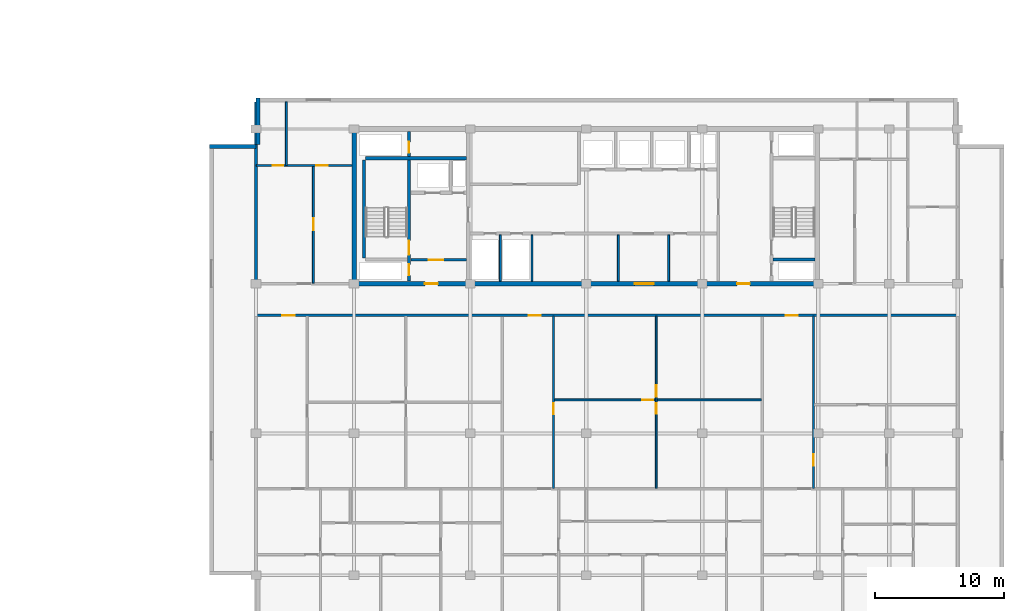
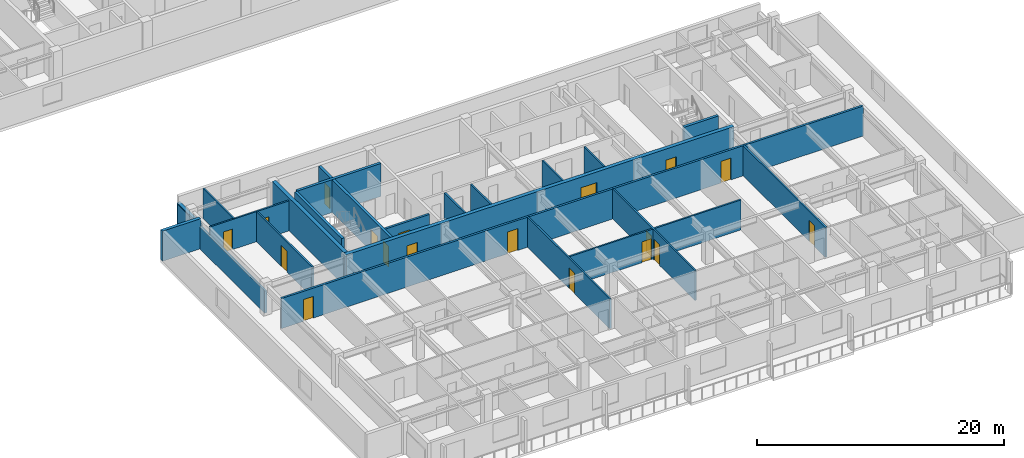
# One storey, part 6 of 23: 22 walls, 18 doors, 18 openings.
"""IFC4 building model written with IfcOpenShell, lengths in metres."""

from ifc_helpers import new_model, si_unit, direction, frame, frame_2d, origin, place, context, subcontext, project, spatial, rectangle, extrude, material, layer, layer_set, type_object, element, fill, save


model = new_model("IFC4")

# Units and contexts
model_context = context("Model", 3, precision=1e-05, world=origin(), true_north=direction((0.0, 1.0)))
body_context = subcontext(model_context, "Body", "Model", "MODEL_VIEW")
ifc_project = project(units=[si_unit("LENGTHUNIT", "METRE"), si_unit("AREAUNIT", "SQUARE_METRE"), si_unit("VOLUMEUNIT", "CUBIC_METRE"), si_unit("PLANEANGLEUNIT", "RADIAN"), si_unit("MASSUNIT", "GRAM", prefix="KILO")], contexts=[model_context])

# Site, building, storey
site_placement = place(None, origin())
site = spatial("IfcSite", under=ifc_project, at=site_placement, CompositionType="ELEMENT")
building_placement = place(site_placement, origin())
building = spatial("IfcBuilding", under=site, at=building_placement, Name="Korimba Cascade Residences", CompositionType="ELEMENT")
storey_placement = place(building_placement, frame((0.0, 0.0, 165.35009765625)))
storey = spatial("IfcBuildingStorey", under=building, at=storey_placement, Name="L47", CompositionType="ELEMENT", Elevation=165.35009765625)

# Walls
ifc_material_1 = material(Name="Precast concrete C40/50", Category="concrete")
ifc_layer_1 = layer(ifc_material_1, 0.300048828125)
ifc_layer_set_1 = layer_set([ifc_layer_1], Name="Precast concrete C40/50")
wall_type_1 = type_object("IfcWallType", Name="EW-STONE-300", PredefinedType="STANDARD", material=ifc_layer_set_1)
wall_1_placement = place(storey_placement, frame((74.64990234375, 32.800048828125, 0.0), z_axis=(0.0, 0.0, 1.0), x_axis=(0.0, -1.0, 0.0)))
element("IfcWall", 1, at=wall_1_placement, inside=storey, type_object=wall_type_1, Name="L47 T2 Perimeter Stone Wall E07", PredefinedType="STANDARD", context=body_context, shape_type="SweptSolid", body=[
    extrude(rectangle(XDim=3.60009765625, YDim=0.300048828125, at=frame_2d((1.800048828125, 0.0))), origin(), (0.0, 0.0, 1.0), 2.2001953125),
])
wall_2_placement = place(storey_placement, frame((74.5, 29.050048828125, 0.0), z_axis=(0.0, 0.0, 1.0), x_axis=(-1.0, 0.0, 0.0)))
element("IfcWall", 2, at=wall_2_placement, inside=storey, type_object=wall_type_1, Name="L47 T2 Perimeter Stone Wall E08", PredefinedType="STANDARD", context=body_context, shape_type="SweptSolid", body=[
    extrude(rectangle(XDim=3.60009765625, YDim=0.300048828125, at=frame_2d((1.800048828125, 0.0))), origin(), (0.0, 0.0, 1.0), 2.969970703125),
])
ifc_material_2 = material(Name="Concrete C65/80", Category="concrete")
ifc_layer_2 = layer(ifc_material_2, 0.35009765625)
ifc_layer_set_2 = layer_set([ifc_layer_2], Name="Concrete C65/80")
wall_type_2 = type_object("IfcWallType", Name="WAL-CORE-350", PredefinedType="SHEAR", material=ifc_layer_set_2)
wall_3_placement = place(storey_placement, frame((82.10009765625, 18.574951171875, 0.0), z_axis=(0.0, 0.0, 1.0), x_axis=(0.0, 1.0, 0.0)))
element("IfcWall", 3, at=wall_3_placement, inside=storey, type_object=wall_type_2, Name="L47 Core Shear Wall CW-L47-T2-W", PredefinedType="SHEAR", context=body_context, shape_type="SweptSolid", body=[
    extrude(rectangle(XDim=11.650146484375, YDim=0.35009765625, at=frame_2d((5.8251953125, 0.0))), origin(), (0.0, 0.0, 1.0), 3.25),
])

# Wall, openings, doors
wall_4_placement = place(storey_placement, frame((81.925048828125, 18.39990234375, 0.0), z_axis=(0.0, 0.0, 1.0), x_axis=(1.0, 0.0, 0.0)))
wall_4 = element("IfcWall", 4, at=wall_4_placement, inside=storey, type_object=wall_type_2, Name="L47 Core Shear Wall CW-L47-T2-S", PredefinedType="SHEAR", context=body_context, shape_type="SweptSolid", body=[
    extrude(rectangle(XDim=36.264892578125, YDim=0.35009765625, at=frame_2d((18.13232421875, 0.0))), origin(), (0.0, 0.0, 1.0), 3.25),
])
opening_1_placement = place(wall_4_placement, frame((5.675048828125, 0.0, 0.0)))
opening_1 = element("IfcOpeningElement", 5, at=opening_1_placement, cuts=wall_4, Name="Opening D-FD5", PredefinedType="OPENING", context=body_context, shape_type="SweptSolid", body=[
    extrude(rectangle(XDim=1.0, YDim=2.14990234375, at=frame_2d((0.5, 1.074951171875))), frame((0.0, 0.18505859375, 0.0), z_axis=(0.0, -1.0, 0.0), x_axis=(1.0, 0.0, 0.0)), (0.0, 0.0, 1.0), 0.3701171875),
])
opening_2_placement = place(wall_4_placement, frame((21.925048828125, 0.0, 0.0)))
opening_2 = element("IfcOpeningElement", 6, at=opening_2_placement, cuts=wall_4, Name="Opening D-FD8", PredefinedType="OPENING", context=body_context, shape_type="SweptSolid", body=[
    extrude(rectangle(XDim=1.5, YDim=2.199951171875, at=frame_2d((0.75, 1.10009765625))), frame((0.0, 0.18505859375, 0.0), z_axis=(0.0, -1.0, 0.0), x_axis=(1.0, 0.0, 0.0)), (0.0, 0.0, 1.0), 0.3701171875),
])
opening_3_placement = place(wall_4_placement, frame((29.875, 0.0, 0.0)))
opening_3 = element("IfcOpeningElement", 7, at=opening_3_placement, cuts=wall_4, Name="Opening D-FD5", PredefinedType="OPENING", context=body_context, shape_type="SweptSolid", body=[
    extrude(rectangle(XDim=1.0, YDim=2.14990234375, at=frame_2d((0.5, 1.074951171875))), frame((0.0, 0.18505859375, 0.0), z_axis=(0.0, -1.0, 0.0), x_axis=(1.0, 0.0, 0.0)), (0.0, 0.0, 1.0), 0.3701171875),
])
ifc_material_3 = material(Name="Fire-Rated Acoustic Timber Vestibule Door", Category="wood")
door_type_1 = type_object("IfcDoorType", Name="DR-FD90-1000", OperationType="NOTDEFINED", PredefinedType="DOOR", material=ifc_material_3)
door_1_placement = place(opening_1_placement, origin())
door_1 = element("IfcDoor", 8, at=door_1_placement, inside=storey, type_object=door_type_1, Name="L47 T2 West Core Vestibule Fire Door", OperationType="SINGLE_SWING_RIGHT", OverallHeight=2.14990234375, OverallWidth=1.0, PredefinedType="DOOR", context=body_context, shape_type="SweptSolid", body=[
    extrude(rectangle(XDim=1.0, YDim=2.14990234375, at=frame_2d((0.5, 1.074951171875))), frame((0.0, 0.02490234375, 0.0), z_axis=(0.0, -1.0, 0.0), x_axis=(1.0, 0.0, 0.0)), (0.0, 0.0, 1.0), 0.050048828125),
])
fill(opening_1, door_1)
door_2_placement = place(opening_3_placement, origin())
door_2 = element("IfcDoor", 9, at=door_2_placement, inside=storey, type_object=door_type_1, Name="L47 T2 East Stair Vestibule Fire Door", OperationType="SINGLE_SWING_LEFT", OverallHeight=2.14990234375, OverallWidth=1.0, PredefinedType="DOOR", context=body_context, shape_type="SweptSolid", body=[
    extrude(rectangle(XDim=1.0, YDim=2.14990234375, at=frame_2d((0.5, 1.074951171875))), frame((0.0, 0.02490234375, 0.0), z_axis=(0.0, -1.0, 0.0), x_axis=(1.0, 0.0, 0.0)), (0.0, 0.0, 1.0), 0.050048828125),
])
fill(opening_3, door_2)
ifc_material_4 = material(Name="Fire-Rated Glazed Lift Lobby Double Door", Category="glass")
door_type_2 = type_object("IfcDoorType", Name="DR-FD90-1500", OperationType="NOTDEFINED", PredefinedType="DOOR", material=ifc_material_4)
door_3_placement = place(opening_2_placement, origin())
door_3 = element("IfcDoor", 10, at=door_3_placement, inside=storey, type_object=door_type_2, Name="L47 T2 Lift Lobby Fire Door", OperationType="DOUBLE_DOOR_SINGLE_SWING", OverallHeight=2.199951171875, OverallWidth=1.5, PredefinedType="DOOR", context=body_context, shape_type="SweptSolid", body=[
    extrude(rectangle(XDim=1.5, YDim=2.199951171875, at=frame_2d((0.75, 1.10009765625))), frame((0.0, 0.02490234375, 0.0), z_axis=(0.0, -1.0, 0.0), x_axis=(1.0, 0.0, 0.0)), (0.0, 0.0, 1.0), 0.050048828125),
])
fill(opening_2, door_3)

# Wall
ifc_layer_3 = layer(ifc_material_1, 0.199951171875)
ifc_layer_set_3 = layer_set([ifc_layer_3], Name="Precast concrete C40/50")
wall_type_3 = type_object("IfcWallType", Name="WAL-IT-200", PredefinedType="PARTITIONING", material=ifc_layer_set_3)
wall_5_placement = place(storey_placement, frame((74.5, 18.39990234375, 0.0), z_axis=(0.0, 0.0, 1.0), x_axis=(0.0, 1.0, 0.0)))
element("IfcWall", 11, at=wall_5_placement, inside=storey, type_object=wall_type_3, Name="L47 Partition Wall WAL-L47-T2-FW-WL", PredefinedType="PARTITIONING", context=body_context, shape_type="SweptSolid", body=[
    extrude(rectangle(XDim=14.10009765625, YDim=0.199951171875, at=frame_2d((7.050048828125, 0.0))), origin(), (0.0, 0.0, 1.0), 2.2001953125),
])

# Wall, openings, doors
wall_6_placement = place(storey_placement, frame((74.5, 15.949951171875, 0.0), z_axis=(0.0, 0.0, 1.0), x_axis=(1.0, 0.0, 0.0)))
wall_6 = element("IfcWall", 12, at=wall_6_placement, inside=storey, type_object=wall_type_3, Name="L47 Partition Wall WAL-L47-T2-CORS", PredefinedType="PARTITIONING", context=body_context, shape_type="SweptSolid", body=[
    extrude(rectangle(XDim=54.39990234375, YDim=0.199951171875, at=frame_2d((27.199951171875, 0.0))), origin(), (0.0, 0.0, 1.0), 2.969970703125),
])
opening_4_placement = place(wall_6_placement, frame((2.044921875, 0.0, 0.0)))
opening_4 = element("IfcOpeningElement", 13, at=opening_4_placement, cuts=wall_6, Name="Opening D-UN1", PredefinedType="OPENING", context=body_context, shape_type="SweptSolid", body=[
    extrude(rectangle(XDim=0.949951171875, YDim=2.14990234375, at=frame_2d((0.47509765625, 1.074951171875))), frame((0.0, 0.10986328125, 0.0), z_axis=(0.0, -1.0, 0.0), x_axis=(1.0, 0.0, 0.0)), (0.0, 0.0, 1.0), 0.219970703125),
])
opening_5_placement = place(wall_6_placement, frame((21.144287109375, 0.0, 0.0)))
opening_5 = element("IfcOpeningElement", 14, at=opening_5_placement, cuts=wall_6, Name="Opening D-UN1", PredefinedType="OPENING", context=body_context, shape_type="SweptSolid", body=[
    extrude(rectangle(XDim=0.949951171875, YDim=2.14990234375, at=frame_2d((0.47509765625, 1.074951171875))), frame((0.0, 0.10986328125, 0.0), z_axis=(0.0, -1.0, 0.0), x_axis=(1.0, 0.0, 0.0)), (0.0, 0.0, 1.0), 0.219970703125),
])
opening_6_placement = place(wall_6_placement, frame((41.0703125, 0.0, 0.0)))
opening_6 = element("IfcOpeningElement", 15, at=opening_6_placement, cuts=wall_6, Name="Opening D-UN1", PredefinedType="OPENING", context=body_context, shape_type="SweptSolid", body=[
    extrude(rectangle(XDim=0.949951171875, YDim=2.14990234375, at=frame_2d((0.47509765625, 1.074951171875))), frame((0.0, 0.10986328125, 0.0), z_axis=(0.0, -1.0, 0.0), x_axis=(1.0, 0.0, 0.0)), (0.0, 0.0, 1.0), 0.219970703125),
])
ifc_material_5 = material(Name="Fire-Rated Hardwood Apartment Entrance Door", Category="wood")
door_type_3 = type_object("IfcDoorType", Name="DR-FD60-950", OperationType="NOTDEFINED", PredefinedType="DOOR", material=ifc_material_5)
door_4_placement = place(opening_4_placement, origin())
door_4 = element("IfcDoor", 16, at=door_4_placement, inside=storey, type_object=door_type_3, Name="Unit L47-T2-U01 Entrance Door", OperationType="SINGLE_SWING_RIGHT", OverallHeight=2.14990234375, OverallWidth=0.949951171875, PredefinedType="DOOR", context=body_context, shape_type="SweptSolid", body=[
    extrude(rectangle(XDim=0.949951171875, YDim=2.14990234375, at=frame_2d((0.47509765625, 1.074951171875))), frame((0.0, 0.02490234375, 0.0), z_axis=(0.0, -1.0, 0.0), x_axis=(1.0, 0.0, 0.0)), (0.0, 0.0, 1.0), 0.050048828125),
])
fill(opening_4, door_4)
door_5_placement = place(opening_5_placement, origin())
door_5 = element("IfcDoor", 17, at=door_5_placement, inside=storey, type_object=door_type_3, Name="Unit L47-T2-U02 Entrance Door", OperationType="SINGLE_SWING_LEFT", OverallHeight=2.14990234375, OverallWidth=0.949951171875, PredefinedType="DOOR", context=body_context, shape_type="SweptSolid", body=[
    extrude(rectangle(XDim=0.949951171875, YDim=2.14990234375, at=frame_2d((0.47509765625, 1.074951171875))), frame((0.0, 0.02490234375, 0.0), z_axis=(0.0, -1.0, 0.0), x_axis=(1.0, 0.0, 0.0)), (0.0, 0.0, 1.0), 0.050048828125),
])
fill(opening_5, door_5)
door_6_placement = place(opening_6_placement, origin())
door_6 = element("IfcDoor", 18, at=door_6_placement, inside=storey, type_object=door_type_3, Name="Unit L47-T2-U03 Entrance Door", OperationType="SINGLE_SWING_RIGHT", OverallHeight=2.14990234375, OverallWidth=0.949951171875, PredefinedType="DOOR", context=body_context, shape_type="SweptSolid", body=[
    extrude(rectangle(XDim=0.949951171875, YDim=2.14990234375, at=frame_2d((0.47509765625, 1.074951171875))), frame((0.0, 0.02490234375, 0.0), z_axis=(0.0, -1.0, 0.0), x_axis=(1.0, 0.0, 0.0)), (0.0, 0.0, 1.0), 0.050048828125),
])
fill(opening_6, door_6)

# Walls
ifc_material_6 = material(Name="Insulated Acoustic Stud Partition", Category="gypsum")
ifc_layer_4 = layer(ifc_material_6, 0.14990234375)
ifc_layer_set_4 = layer_set([ifc_layer_4], Name="Insulated Acoustic Stud Partition")
wall_type_4 = type_object("IfcWallType", Name="WAL-PART-150", PredefinedType="PARTITIONING", material=ifc_layer_set_4)
for number, where, z_axis, x_axis, name in (
    (19, (93.449951171875, 18.60009765625, 0.0), (0.0, 0.0, 1.0), (0.0, 1.0, 0.0), "L47 Partition Wall CW-L47-T2-ERDIV"),
    (20, (95.89990234375, 18.60009765625, 0.0), (0.0, 0.0, 1.0), (0.0, 1.0, 0.0), "L47 Partition Wall CW-L47-T2-PRDIV"),
    (21, (102.60009765625, 18.60009765625, 0.0), (0.0, 0.0, 1.0), (0.0, 1.0, 0.0), "L47 Partition Wall CW-L47-T2-THW"),
    (22, (106.5, 18.60009765625, 0.0), (0.0, 0.0, 1.0), (0.0, 1.0, 0.0), "L47 Partition Wall CW-L47-T2-THE"),
):
    element("IfcWall", number, at=place(storey_placement, frame(where, z_axis=z_axis, x_axis=x_axis)), inside=storey, type_object=wall_type_4, Name=name, PredefinedType="PARTITIONING", context=body_context, shape_type="SweptSolid", body=[
        extrude(rectangle(XDim=3.599853515625, YDim=0.14990234375, at=frame_2d((1.7998046875, 0.0))), origin(), (0.0, 0.0, 1.0), 2.969970703125),
    ])

# Wall, opening, door
wall_7_placement = place(storey_placement, frame((78.945068359375, 18.449951171875, 0.0), z_axis=(0.0, 0.0, 1.0), x_axis=(0.0, 1.0, 0.0)))
wall_7 = element("IfcWall", 23, at=wall_7_placement, inside=storey, type_object=wall_type_4, Name="L47 Partition Wall WAL-L47-T2-FW-VS", PredefinedType="PARTITIONING", context=body_context, shape_type="SweptSolid", body=[
    extrude(rectangle(XDim=9.1201171875, YDim=0.14990234375, at=frame_2d((4.56005859375, 0.0))), origin(), (0.0, 0.0, 1.0), 2.969970703125),
])
opening_7_placement = place(wall_7_placement, frame((4.10009765625, 0.0, 0.0)))
opening_7 = element("IfcOpeningElement", 24, at=opening_7_placement, cuts=wall_7, Name="Opening D-IN1", PredefinedType="OPENING", context=body_context, shape_type="SweptSolid", body=[
    extrude(rectangle(XDim=0.919921875, YDim=2.080078125, at=frame_2d((0.4599609375, 1.0400390625))), frame((0.0, 0.0849609375, 0.0), z_axis=(0.0, -1.0, 0.0), x_axis=(1.0, 0.0, 0.0)), (0.0, 0.0, 1.0), 0.169921875),
])
ifc_material_7 = material(Name="Acoustic Timber Living Door", Category="wood")
door_type_4 = type_object("IfcDoorType", Name="DR-INT-920", OperationType="NOTDEFINED", PredefinedType="DOOR", material=ifc_material_7)
door_7_placement = place(opening_7_placement, origin())
door_7 = element("IfcDoor", 25, at=door_7_placement, inside=storey, type_object=door_type_4, Name="L47-T2-FW Living Door", OperationType="SINGLE_SWING_RIGHT", OverallHeight=2.080078125, OverallWidth=0.919921875, PredefinedType="DOOR", context=body_context, shape_type="SweptSolid", body=[
    extrude(rectangle(XDim=0.919921875, YDim=2.080078125, at=frame_2d((0.4599609375, 1.0400390625))), frame((0.0, 0.02490234375, 0.0), z_axis=(0.0, -1.0, 0.0), x_axis=(1.0, 0.0, 0.0)), (0.0, 0.0, 1.0), 0.050048828125),
])
fill(opening_7, door_7)

# Wall
wall_8_placement = place(storey_placement, frame((76.85009765625, 27.570068359375, 0.0), z_axis=(0.0, 0.0, 1.0), x_axis=(0.0, 1.0, 0.0)))
element("IfcWall", 26, at=wall_8_placement, inside=storey, type_object=wall_type_4, Name="L47 Partition Wall WAL-L47-T2-FW-VN", PredefinedType="PARTITIONING", context=body_context, shape_type="SweptSolid", body=[
    extrude(rectangle(XDim=4.929931640625, YDim=0.14990234375, at=frame_2d((2.46484375, 0.0))), origin(), (0.0, 0.0, 1.0), 2.969970703125),
])

# Wall, openings, doors
wall_9_placement = place(storey_placement, frame((74.52001953125, 27.570068359375, 0.0), z_axis=(0.0, 0.0, 1.0), x_axis=(1.0, 0.0, 0.0)))
wall_9 = element("IfcWall", 27, at=wall_9_placement, inside=storey, type_object=wall_type_4, Name="L47 Partition Wall WAL-L47-T2-FW-H", PredefinedType="PARTITIONING", context=body_context, shape_type="SweptSolid", body=[
    extrude(rectangle(XDim=7.409912109375, YDim=0.14990234375, at=frame_2d((3.705078125, 0.0))), origin(), (0.0, 0.0, 1.0), 2.969970703125),
])
opening_8_placement = place(wall_9_placement, frame((1.266357421875, 0.0, 0.0)))
opening_8 = element("IfcOpeningElement", 28, at=opening_8_placement, cuts=wall_9, Name="Opening D-BT1", PredefinedType="OPENING", context=body_context, shape_type="SweptSolid", body=[
    extrude(rectangle(XDim=0.840087890625, YDim=2.0400390625, at=frame_2d((0.419921875, 1.02001953125))), frame((0.0, 0.0849609375, 0.0), z_axis=(0.0, -1.0, 0.0), x_axis=(1.0, 0.0, 0.0)), (0.0, 0.0, 1.0), 0.169921875),
])
opening_9_placement = place(wall_9_placement, frame((4.64501953125, 0.0, 0.0)))
opening_9 = element("IfcOpeningElement", 29, at=opening_9_placement, cuts=wall_9, Name="Opening D-IN2", PredefinedType="OPENING", context=body_context, shape_type="SweptSolid", body=[
    extrude(rectangle(XDim=0.8798828125, YDim=2.06005859375, at=frame_2d((0.43994140625, 1.030029296875))), frame((0.0, 0.0849609375, 0.0), z_axis=(0.0, -1.0, 0.0), x_axis=(1.0, 0.0, 0.0)), (0.0, 0.0, 1.0), 0.169921875),
])
ifc_material_8 = material(Name="Moisture-Resistant Bathroom Timber Door", Category="wood")
door_type_5 = type_object("IfcDoorType", Name="DR-INT-850", OperationType="NOTDEFINED", PredefinedType="DOOR", material=ifc_material_8)
door_8_placement = place(opening_8_placement, origin())
door_8 = element("IfcDoor", 30, at=door_8_placement, inside=storey, type_object=door_type_5, Name="L47-T2-FW Bathroom Door", OperationType="SINGLE_SWING_LEFT", OverallHeight=2.0400390625, OverallWidth=0.840087890625, PredefinedType="DOOR", context=body_context, shape_type="SweptSolid", body=[
    extrude(rectangle(XDim=0.840087890625, YDim=2.0400390625, at=frame_2d((0.419921875, 1.02001953125))), frame((0.0, 0.02490234375, 0.0), z_axis=(0.0, -1.0, 0.0), x_axis=(1.0, 0.0, 0.0)), (0.0, 0.0, 1.0), 0.050048828125),
])
fill(opening_8, door_8)
ifc_material_9 = material(Name="Acoustic Timber Bedroom Door", Category="wood")
door_type_6 = type_object("IfcDoorType", Name="DR-INT-880", OperationType="NOTDEFINED", PredefinedType="DOOR", material=ifc_material_9)
door_9_placement = place(opening_9_placement, origin())
door_9 = element("IfcDoor", 31, at=door_9_placement, inside=storey, type_object=door_type_6, Name="L47-T2-FW Bedroom Door", OperationType="SINGLE_SWING_RIGHT", OverallHeight=2.06005859375, OverallWidth=0.8798828125, PredefinedType="DOOR", context=body_context, shape_type="SweptSolid", body=[
    extrude(rectangle(XDim=0.8798828125, YDim=2.06005859375, at=frame_2d((0.43994140625, 1.030029296875))), frame((0.0, 0.02490234375, 0.0), z_axis=(0.0, -1.0, 0.0), x_axis=(1.0, 0.0, 0.0)), (0.0, 0.0, 1.0), 0.050048828125),
])
fill(opening_9, door_9)

wall_10_placement = place(storey_placement, frame((105.534912109375, 2.5400390625, 0.0), z_axis=(0.0, 0.0, 1.0), x_axis=(0.0, 1.0, 0.0)))
wall_10 = element("IfcWall", 32, at=wall_10_placement, inside=storey, type_object=wall_type_4, Name="L47 Partition Wall WAL-L47-T2-U02-FMV", PredefinedType="PARTITIONING", context=body_context, shape_type="SweptSolid", body=[
    extrude(rectangle(XDim=13.349853515625, YDim=0.14990234375, at=frame_2d((6.6748046875, 0.0))), origin(), (0.0, 0.0, 1.0), 2.969970703125),
])
opening_10_placement = place(wall_10_placement, frame((5.764892578125, 0.0, 0.0)))
opening_10 = element("IfcOpeningElement", 33, at=opening_10_placement, cuts=wall_10, Name="Opening D-BT1", PredefinedType="OPENING", context=body_context, shape_type="SweptSolid", body=[
    extrude(rectangle(XDim=0.840087890625, YDim=2.0400390625, at=frame_2d((0.419921875, 1.02001953125))), frame((0.0, 0.0849609375, 0.0), z_axis=(0.0, -1.0, 0.0), x_axis=(1.0, 0.0, 0.0)), (0.0, 0.0, 1.0), 0.169921875),
])
opening_11_placement = place(wall_10_placement, frame((7.10498046875, 0.0, 0.0)))
opening_11 = element("IfcOpeningElement", 34, at=opening_11_placement, cuts=wall_10, Name="Opening D-IN2", PredefinedType="OPENING", context=body_context, shape_type="SweptSolid", body=[
    extrude(rectangle(XDim=0.8798828125, YDim=2.06005859375, at=frame_2d((0.43994140625, 1.030029296875))), frame((0.0, 0.0849609375, 0.0), z_axis=(0.0, -1.0, 0.0), x_axis=(1.0, 0.0, 0.0)), (0.0, 0.0, 1.0), 0.169921875),
])
door_10_placement = place(opening_10_placement, origin())
door_10 = element("IfcDoor", 35, at=door_10_placement, inside=storey, type_object=door_type_5, Name="L47-T2-U02 Wardrobe Door", OperationType="SINGLE_SWING_LEFT", OverallHeight=2.0400390625, OverallWidth=0.840087890625, PredefinedType="DOOR", context=body_context, shape_type="SweptSolid", body=[
    extrude(rectangle(XDim=0.840087890625, YDim=2.0400390625, at=frame_2d((0.419921875, 1.02001953125))), frame((0.0, 0.02490234375, 0.0), z_axis=(0.0, -1.0, 0.0), x_axis=(1.0, 0.0, 0.0)), (0.0, 0.0, 1.0), 0.050048828125),
])
fill(opening_10, door_10)
door_11_placement = place(opening_11_placement, origin())
door_11 = element("IfcDoor", 36, at=door_11_placement, inside=storey, type_object=door_type_6, Name="L47-T2-U02 Music Lounge Door", OperationType="SINGLE_SWING_RIGHT", OverallHeight=2.06005859375, OverallWidth=0.8798828125, PredefinedType="DOOR", context=body_context, shape_type="SweptSolid", body=[
    extrude(rectangle(XDim=0.8798828125, YDim=2.06005859375, at=frame_2d((0.43994140625, 1.030029296875))), frame((0.0, 0.02490234375, 0.0), z_axis=(0.0, -1.0, 0.0), x_axis=(1.0, 0.0, 0.0)), (0.0, 0.0, 1.0), 0.050048828125),
])
fill(opening_11, door_11)

# Wall, opening, door
wall_11_placement = place(storey_placement, frame((97.629150390625, 9.39501953125, 0.0), z_axis=(0.0, 0.0, 1.0), x_axis=(1.0, 0.0, 0.0)))
wall_11 = element("IfcWall", 37, at=wall_11_placement, inside=storey, type_object=wall_type_4, Name="L47 Partition Wall WAL-L47-T2-U02-FMH", PredefinedType="PARTITIONING", context=body_context, shape_type="SweptSolid", body=[
    extrude(rectangle(XDim=16.05126953125, YDim=0.14990234375, at=frame_2d((8.025634765625, 0.0))), origin(), (0.0, 0.0, 1.0), 2.969970703125),
])
opening_12_placement = place(wall_11_placement, frame((6.8056640625, 0.0, 0.0)))
opening_12 = element("IfcOpeningElement", 38, at=opening_12_placement, cuts=wall_11, Name="Opening D-IN2", PredefinedType="OPENING", context=body_context, shape_type="SweptSolid", body=[
    extrude(rectangle(XDim=0.8798828125, YDim=2.06005859375, at=frame_2d((0.43994140625, 1.030029296875))), frame((0.0, 0.0849609375, 0.0), z_axis=(0.0, -1.0, 0.0), x_axis=(1.0, 0.0, 0.0)), (0.0, 0.0, 1.0), 0.169921875),
])
door_12_placement = place(opening_12_placement, origin())
door_12 = element("IfcDoor", 39, at=door_12_placement, inside=storey, type_object=door_type_6, Name="L47-T2-U02 Library Salon Door", OperationType="SINGLE_SWING_LEFT", OverallHeight=2.06005859375, OverallWidth=0.8798828125, PredefinedType="DOOR", context=body_context, shape_type="SweptSolid", body=[
    extrude(rectangle(XDim=0.8798828125, YDim=2.06005859375, at=frame_2d((0.43994140625, 1.030029296875))), frame((0.0, 0.02490234375, 0.0), z_axis=(0.0, -1.0, 0.0), x_axis=(1.0, 0.0, 0.0)), (0.0, 0.0, 1.0), 0.050048828125),
])
fill(opening_12, door_12)

wall_12_placement = place(storey_placement, frame((97.569091796875, 2.5400390625, 0.0), z_axis=(0.0, 0.0, 1.0), x_axis=(0.0, 1.0, 0.0)))
wall_12 = element("IfcWall", 40, at=wall_12_placement, inside=storey, type_object=wall_type_4, Name="L47 Partition Wall WAL-L47-T2-U02-FV", PredefinedType="PARTITIONING", context=body_context, shape_type="SweptSolid", body=[
    extrude(rectangle(XDim=13.349853515625, YDim=0.14990234375, at=frame_2d((6.6748046875, 0.0))), origin(), (0.0, 0.0, 1.0), 2.969970703125),
])
opening_13_placement = place(wall_12_placement, frame((5.72509765625, 0.0, 0.0)))
opening_13 = element("IfcOpeningElement", 41, at=opening_13_placement, cuts=wall_12, Name="Opening D-IN2", PredefinedType="OPENING", context=body_context, shape_type="SweptSolid", body=[
    extrude(rectangle(XDim=0.8798828125, YDim=2.06005859375, at=frame_2d((0.43994140625, 1.030029296875))), frame((0.0, 0.0849609375, 0.0), z_axis=(0.0, -1.0, 0.0), x_axis=(1.0, 0.0, 0.0)), (0.0, 0.0, 1.0), 0.169921875),
])
door_13_placement = place(opening_13_placement, origin())
door_13 = element("IfcDoor", 42, at=door_13_placement, inside=storey, type_object=door_type_6, Name="L47-T2-U02 Media Lounge Door", OperationType="SINGLE_SWING_RIGHT", OverallHeight=2.06005859375, OverallWidth=0.8798828125, PredefinedType="DOOR", context=body_context, shape_type="SweptSolid", body=[
    extrude(rectangle(XDim=0.8798828125, YDim=2.06005859375, at=frame_2d((0.43994140625, 1.030029296875))), frame((0.0, 0.02490234375, 0.0), z_axis=(0.0, -1.0, 0.0), x_axis=(1.0, 0.0, 0.0)), (0.0, 0.0, 1.0), 0.050048828125),
])
fill(opening_13, door_13)

wall_13_placement = place(storey_placement, frame((117.73046875, 2.5400390625, 0.0), z_axis=(0.0, 0.0, 1.0), x_axis=(0.0, 1.0, 0.0)))
wall_13 = element("IfcWall", 43, at=wall_13_placement, inside=storey, type_object=wall_type_4, Name="L47 Partition Wall WAL-L47-T2-U03-FV", PredefinedType="PARTITIONING", context=body_context, shape_type="SweptSolid", body=[
    extrude(rectangle(XDim=13.349853515625, YDim=0.14990234375, at=frame_2d((6.6748046875, 0.0))), origin(), (0.0, 0.0, 1.0), 2.969970703125),
])
opening_14_placement = place(wall_13_placement, frame((1.754150390625, 0.0, 0.0)))
opening_14 = element("IfcOpeningElement", 44, at=opening_14_placement, cuts=wall_13, Name="Opening D-IN2", PredefinedType="OPENING", context=body_context, shape_type="SweptSolid", body=[
    extrude(rectangle(XDim=0.8798828125, YDim=2.06005859375, at=frame_2d((0.43994140625, 1.030029296875))), frame((0.0, 0.0849609375, 0.0), z_axis=(0.0, -1.0, 0.0), x_axis=(1.0, 0.0, 0.0)), (0.0, 0.0, 1.0), 0.169921875),
])
door_14_placement = place(opening_14_placement, origin())
door_14 = element("IfcDoor", 45, at=door_14_placement, inside=storey, type_object=door_type_6, Name="L47-T2-U03 Media Lounge Door", OperationType="SINGLE_SWING_RIGHT", OverallHeight=2.06005859375, OverallWidth=0.8798828125, PredefinedType="DOOR", context=body_context, shape_type="SweptSolid", body=[
    extrude(rectangle(XDim=0.8798828125, YDim=2.06005859375, at=frame_2d((0.43994140625, 1.030029296875))), frame((0.0, 0.02490234375, 0.0), z_axis=(0.0, -1.0, 0.0), x_axis=(1.0, 0.0, 0.0)), (0.0, 0.0, 1.0), 0.050048828125),
])
fill(opening_14, door_14)

ifc_material_10 = material(Name="Concrete C40/50", Category="concrete")
ifc_layer_5 = layer(ifc_material_10, 0.199951171875)
ifc_layer_set_5 = layer_set([ifc_layer_5], Name="Concrete C40/50")
wall_type_5 = type_object("IfcWallType", Name="WAL-PART-200", PredefinedType="PARTITIONING", material=ifc_layer_set_5)
wall_14_placement = place(storey_placement, frame((86.5, 20.25, 0.0), z_axis=(0.0, 0.0, 1.0), x_axis=(1.0, 0.0, 0.0)))
wall_14 = element("IfcWall", 46, at=wall_14_placement, inside=storey, type_object=wall_type_5, Name="L47 Partition Wall CW-L47-T2-FFLS", PredefinedType="PARTITIONING", context=body_context, shape_type="SweptSolid", body=[
    extrude(rectangle(XDim=4.320068359375, YDim=0.199951171875, at=frame_2d((2.16015625, 0.0))), origin(), (0.0, 0.0, 1.0), 2.969970703125),
])
opening_15_placement = place(wall_14_placement, frame((1.39990234375, 0.0, 0.0)))
opening_15 = element("IfcOpeningElement", 47, at=opening_15_placement, cuts=wall_14, Name="Opening D-FD1", PredefinedType="OPENING", context=body_context, shape_type="SweptSolid", body=[
    extrude(rectangle(XDim=1.10009765625, YDim=2.10009765625, at=frame_2d((0.550048828125, 1.050048828125))), frame((0.0, 0.10986328125, 0.0), z_axis=(0.0, -1.0, 0.0), x_axis=(1.0, 0.0, 0.0)), (0.0, 0.0, 1.0), 0.219970703125),
])
ifc_material_11 = material(Name="Fire-Rated Steel Core Door", Category="steel")
door_type_7 = type_object("IfcDoorType", Name="DR-FD120-1100", OperationType="NOTDEFINED", PredefinedType="DOOR", material=ifc_material_11)
door_15_placement = place(opening_15_placement, origin())
door_15 = element("IfcDoor", 48, at=door_15_placement, inside=storey, type_object=door_type_7, Name="L47 T2 Firefighting Lobby Door", OperationType="SINGLE_SWING_RIGHT", OverallHeight=2.10009765625, OverallWidth=1.10009765625, PredefinedType="DOOR", context=body_context, shape_type="SweptSolid", body=[
    extrude(rectangle(XDim=1.10009765625, YDim=2.10009765625, at=frame_2d((0.550048828125, 1.050048828125))), frame((0.0, 0.02490234375, 0.0), z_axis=(0.0, -1.0, 0.0), x_axis=(1.0, 0.0, 0.0)), (0.0, 0.0, 1.0), 0.050048828125),
])
fill(opening_15, door_15)

# Wall
ifc_material_12 = material(Name="Concrete C50/60", Category="concrete")
ifc_layer_6 = layer(ifc_material_12, 0.25)
ifc_layer_set_6 = layer_set([ifc_layer_6], Name="Concrete C50/60")
wall_type_6 = type_object("IfcWallType", Name="WAL-SHAFT-250", PredefinedType="SHEAR", material=ifc_layer_set_6)
wall_15_placement = place(storey_placement, frame((82.875, 20.39990234375, 0.0), z_axis=(0.0, 0.0, 1.0), x_axis=(0.0, 1.0, 0.0)))
element("IfcWall", 49, at=wall_15_placement, inside=storey, type_object=wall_type_6, Name="L47 Core Shear Wall CW-L47-T2-STE1W", PredefinedType="SHEAR", context=body_context, shape_type="SweptSolid", body=[
    extrude(rectangle(XDim=7.60009765625, YDim=0.25, at=frame_2d((3.800048828125, 0.0))), origin(), (0.0, 0.0, 1.0), 3.25),
])

# Wall, openings, doors
wall_16_placement = place(storey_placement, frame((86.364990234375, 18.60009765625, 0.0), z_axis=(0.0, 0.0, 1.0), x_axis=(0.0, 1.0, 0.0)))
wall_16 = element("IfcWall", 50, at=wall_16_placement, inside=storey, type_object=wall_type_6, Name="L47 Core Shear Wall CW-L47-T2-STE1E", PredefinedType="SHEAR", context=body_context, shape_type="SweptSolid", body=[
    extrude(rectangle(XDim=11.599853515625, YDim=0.25, at=frame_2d((5.7998046875, 0.0))), origin(), (0.0, 0.0, 1.0), 3.25),
])
opening_16_placement = place(wall_16_placement, frame((0.449951171875, 0.0, 0.0)))
opening_16 = element("IfcOpeningElement", 51, at=opening_16_placement, cuts=wall_16, Name="Opening D-RS1", PredefinedType="OPENING", context=body_context, shape_type="SweptSolid", body=[
    extrude(rectangle(XDim=0.85009765625, YDim=2.050048828125, at=frame_2d((0.425048828125, 1.02490234375))), frame((0.0, 0.135009765625, 0.0), z_axis=(0.0, -1.0, 0.0), x_axis=(1.0, 0.0, 0.0)), (0.0, 0.0, 1.0), 0.27001953125),
])
opening_17_placement = place(wall_16_placement, frame((2.050048828125, 0.0, 0.0)))
opening_17 = element("IfcOpeningElement", 52, at=opening_17_placement, cuts=wall_16, Name="Opening D-FD1", PredefinedType="OPENING", context=body_context, shape_type="SweptSolid", body=[
    extrude(rectangle(XDim=1.10009765625, YDim=2.10009765625, at=frame_2d((0.550048828125, 1.050048828125))), frame((0.0, 0.135009765625, 0.0), z_axis=(0.0, -1.0, 0.0), x_axis=(1.0, 0.0, 0.0)), (0.0, 0.0, 1.0), 0.27001953125),
])
opening_18_placement = place(wall_16_placement, frame((9.949951171875, 0.0, 0.0)))
opening_18 = element("IfcOpeningElement", 53, at=opening_18_placement, cuts=wall_16, Name="Opening D-RS1", PredefinedType="OPENING", context=body_context, shape_type="SweptSolid", body=[
    extrude(rectangle(XDim=0.85009765625, YDim=2.050048828125, at=frame_2d((0.425048828125, 1.02490234375))), frame((0.0, 0.135009765625, 0.0), z_axis=(0.0, -1.0, 0.0), x_axis=(1.0, 0.0, 0.0)), (0.0, 0.0, 1.0), 0.27001953125),
])
door_16_placement = place(opening_17_placement, origin())
door_16 = element("IfcDoor", 54, at=door_16_placement, inside=storey, type_object=door_type_7, Name="L47 Fire Stair ST-E1 Door", OperationType="SINGLE_SWING_LEFT", OverallHeight=2.10009765625, OverallWidth=1.10009765625, PredefinedType="DOOR", context=body_context, shape_type="SweptSolid", body=[
    extrude(rectangle(XDim=1.10009765625, YDim=2.10009765625, at=frame_2d((0.550048828125, 1.050048828125))), frame((0.0, 0.02490234375, 0.0), z_axis=(0.0, -1.0, 0.0), x_axis=(1.0, 0.0, 0.0)), (0.0, 0.0, 1.0), 0.050048828125),
])
fill(opening_17, door_16)
ifc_material_13 = material(Name="Fire-Rated Steel Riser Access Door", Category="steel")
door_type_8 = type_object("IfcDoorType", Name="DR-FD60-850", OperationType="NOTDEFINED", PredefinedType="DOOR", material=ifc_material_13)
door_17_placement = place(opening_16_placement, origin())
door_17 = element("IfcDoor", 55, at=door_17_placement, inside=storey, type_object=door_type_8, Name="L47 T2 Hydrant Riser Door", OperationType="SINGLE_SWING_RIGHT", OverallHeight=2.050048828125, OverallWidth=0.85009765625, PredefinedType="DOOR", context=body_context, shape_type="SweptSolid", body=[
    extrude(rectangle(XDim=0.85009765625, YDim=2.050048828125, at=frame_2d((0.425048828125, 1.02490234375))), frame((0.0, 0.02490234375, 0.0), z_axis=(0.0, -1.0, 0.0), x_axis=(1.0, 0.0, 0.0)), (0.0, 0.0, 1.0), 0.050048828125),
])
fill(opening_16, door_17)
door_18_placement = place(opening_18_placement, origin())
door_18 = element("IfcDoor", 56, at=door_18_placement, inside=storey, type_object=door_type_8, Name="L47 T2 Smoke Shaft Door", OperationType="SINGLE_SWING_RIGHT", OverallHeight=2.050048828125, OverallWidth=0.85009765625, PredefinedType="DOOR", context=body_context, shape_type="SweptSolid", body=[
    extrude(rectangle(XDim=0.85009765625, YDim=2.050048828125, at=frame_2d((0.425048828125, 1.02490234375))), frame((0.0, 0.02490234375, 0.0), z_axis=(0.0, -1.0, 0.0), x_axis=(1.0, 0.0, 0.0)), (0.0, 0.0, 1.0), 0.050048828125),
])
fill(opening_18, door_18)

# Walls
wall_17_placement = place(storey_placement, frame((83.0, 28.125, 0.0), z_axis=(0.0, 0.0, 1.0), x_axis=(1.0, 0.0, 0.0)))
element("IfcWall", 57, at=wall_17_placement, inside=storey, type_object=wall_type_6, Name="L47 Core Shear Wall CW-L47-T2-STE1N", PredefinedType="SHEAR", context=body_context, shape_type="SweptSolid", body=[
    extrude(rectangle(XDim=7.820068359375, YDim=0.25, at=frame_2d((3.91015625, 0.0))), origin(), (0.0, 0.0, 1.0), 3.25),
])
wall_18_placement = place(storey_placement, frame((114.60009765625, 20.27490234375, 0.0), z_axis=(0.0, 0.0, 1.0), x_axis=(1.0, 0.0, 0.0)))
element("IfcWall", 58, at=wall_18_placement, inside=storey, type_object=wall_type_6, Name="L47 Core Shear Wall CW-L47-T2-STE2S", PredefinedType="SHEAR", context=body_context, shape_type="SweptSolid", body=[
    extrude(rectangle(XDim=3.239990234375, YDim=0.25, at=frame_2d((1.6201171875, 0.0))), origin(), (0.0, 0.0, 1.0), 3.25),
])

save(model, "model.ifc")
